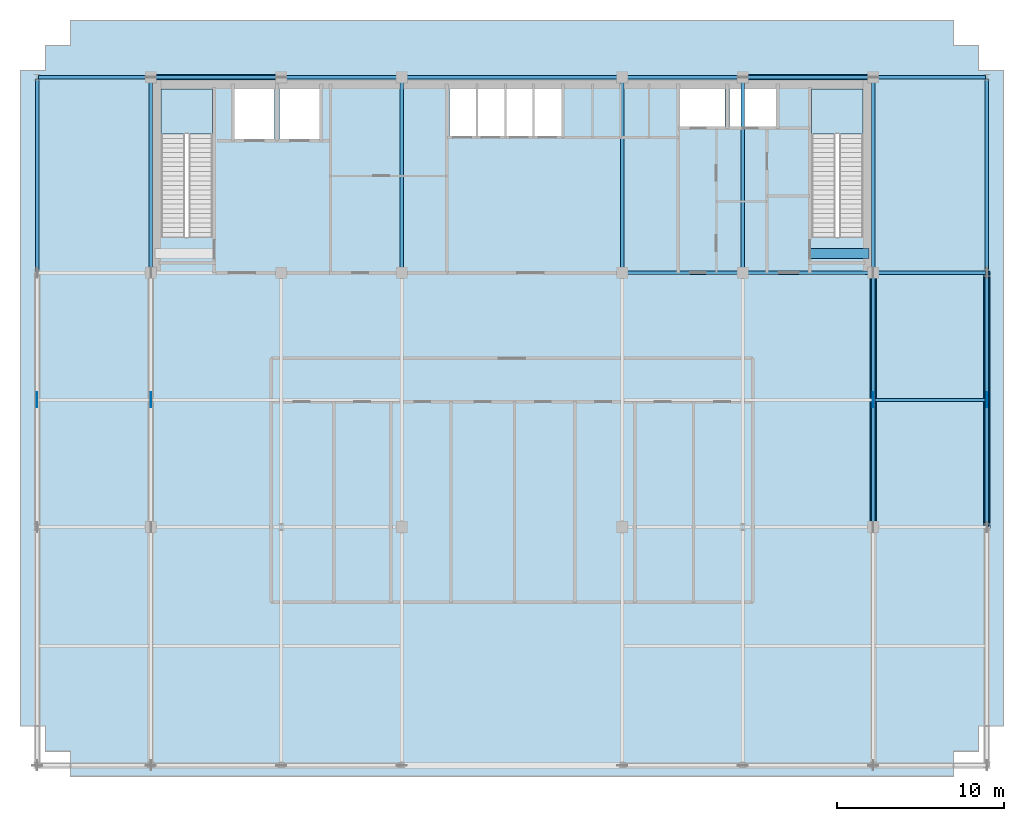
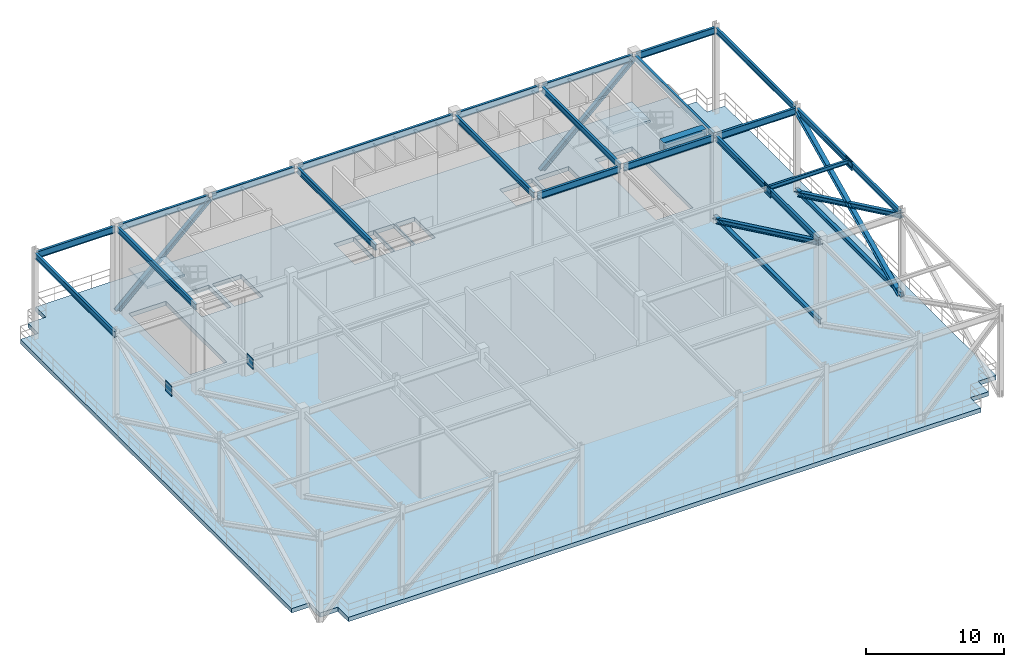
# One storey, part 5 of 14: 21 beams, 7 members, 4 plates, 3 slabs, 2 elements without a shape of their own.
"""IFC4 building model written with IfcOpenShell, lengths in metres."""

from ifc_helpers import new_model, si_unit, direction, frame, origin, origin_2d, place, context, subcontext, project, spatial, polyline, rectangle, i_section, outline, extrude, source, transform, mapped, material, layer, layer_set, material_profile, profile_set, type_object, element, aggregate, save


model = new_model("IFC4")

# Units and contexts
model_context = context("Model", 3, precision=1e-05, world=origin(), true_north=direction((0.0, 1.0)))
body_context = subcontext(model_context, "Body", "Model", "MODEL_VIEW")
ifc_project = project(units=[si_unit("LENGTHUNIT", "METRE"), si_unit("AREAUNIT", "SQUARE_METRE"), si_unit("VOLUMEUNIT", "CUBIC_METRE"), si_unit("PLANEANGLEUNIT", "RADIAN"), si_unit("MASSUNIT", "GRAM", prefix="KILO")], contexts=[model_context])

# Site, building, storey
site_placement = place(None, origin())
site = spatial("IfcSite", under=ifc_project, at=site_placement, CompositionType="ELEMENT")
building_placement = place(site_placement, origin())
building = spatial("IfcBuilding", under=site, at=building_placement, Name="Trelvane Seafront Commons", CompositionType="ELEMENT")
storey_placement = place(building_placement, frame((0.0, 0.0, 182.5)))
storey = spatial("IfcBuildingStorey", under=building, at=storey_placement, Name="L48", CompositionType="ELEMENT", Elevation=182.5)

# Beams
ifc_material_1 = material(Name="Concrete C60/75", Category="concrete")
ifc_material_profile_1 = material_profile(ifc_material_1, rectangle(XDim=0.60009765625, YDim=0.89990234375, at=origin_2d()), Name="RC-600x900")
ifc_profile_set_1 = profile_set([ifc_material_profile_1], Name="Concrete C60/75")
beam_type_1 = type_object("IfcBeamType", Name="STR-LNT-RC600x900", PredefinedType="LINTEL", material=ifc_profile_set_1)
shared_shape_1 = source(origin(), body_context, "Body", "SweptSolid", [
    extrude(rectangle(XDim=0.60009765625, YDim=0.89990234375, at=origin_2d()), origin(), (0.0, 0.0, 1.0), 3.550048828125),
])
beam_1_placement = place(storey_placement, frame((55.0, 34.550048828125, 7.169921875), z_axis=(1.0, 0.0, 0.0), x_axis=(0.0, 1.0, 0.0)))
element("IfcBeam", 1, at=beam_1_placement, inside=storey, type_object=beam_type_1, Name="L48 Core Coupling Lintel Beam CB-68", PredefinedType="LINTEL", context=body_context, shape_type="MappedRepresentation", body=[
    mapped(shared_shape_1, transform((0.0, 0.0, 0.0), x_axis=(1.0, 0.0, 0.0), y_axis=(0.0, 1.0, 0.0), z_axis=(0.0, 0.0, 1.0), scale=1.0)),
])
ifc_material_2 = material(Name="Steel SM355 (S355)", Category="steel")
ifc_material_profile_2 = material_profile(ifc_material_2, i_section(OverallWidth=0.199951171875, OverallDepth=0.5, WebThickness=0.010009765625, FlangeThickness=0.01611328125, at=origin_2d()), Name="H-500x200x10x16")
ifc_profile_set_2 = profile_set([ifc_material_profile_2], Name="Steel SM355 (S355)")
beam_type_2 = type_object("IfcBeamType", Name="STR-BM-H500", PredefinedType="BEAM", material=ifc_profile_set_2)
shared_shape_2 = source(origin(), body_context, "Body", "SweptSolid", [
    extrude(i_section(OverallWidth=0.199951171875, OverallDepth=0.5, WebThickness=0.010009765625, FlangeThickness=0.01611328125, at=origin_2d()), origin(), (0.0, 0.0, 1.0), 14.89990234375),
])
beam_2_placement = place(storey_placement, frame((58.800048828125, 18.35009765625, 7.3701171875), z_axis=(0.0, 1.0, 0.0), x_axis=(-1.0, 0.0, 0.0)))
element("IfcBeam", 2, at=beam_2_placement, inside=storey, type_object=beam_type_2, Name="L48 Primary Girder G-48", PredefinedType="BEAM", context=body_context, shape_type="MappedRepresentation", body=[
    mapped(shared_shape_2, transform((0.0, 0.0, 0.0), x_axis=(1.0, 0.0, 0.0), y_axis=(0.0, 1.0, 0.0), z_axis=(0.0, 0.0, 1.0), scale=1.0)),
])
shared_shape_3 = source(origin(), body_context, "Body", "SweptSolid", [
    extrude(i_section(OverallWidth=0.199951171875, OverallDepth=0.5, WebThickness=0.010009765625, FlangeThickness=0.01611328125, at=origin_2d()), origin(), (0.0, 0.0, 1.0), 11.39990234375),
])
for number, where, z_axis, x_axis, name in (
    (3, (15.60009765625, 33.550048828125, 7.3701171875), (0.0, 1.0, 0.0), (-1.0, 0.0, 0.0), "L48 Primary Girder G-34"),
    (4, (30.60009765625, 33.550048828125, 7.3701171875), (0.0, 1.0, 0.0), (-1.0, 0.0, 0.0), "L48 Primary Girder G-40"),
    (5, (43.800048828125, 33.550048828125, 7.3701171875), (0.0, 1.0, 0.0), (-1.0, 0.0, 0.0), "L48 Primary Girder G-43"),
    (6, (51.0, 33.550048828125, 7.3701171875), (0.0, 1.0, 0.0), (-1.0, 0.0, 0.0), "L48 Primary Girder G-46"),
    (7, (58.800048828125, 33.550048828125, 7.3701171875), (0.0, 1.0, 0.0), (-1.0, 0.0, 0.0), "L48 Primary Girder G-49"),
):
    element("IfcBeam", number, at=place(storey_placement, frame(where, z_axis=z_axis, x_axis=x_axis)), inside=storey, type_object=beam_type_2, Name=name, PredefinedType="BEAM", context=body_context, shape_type="MappedRepresentation", body=[
        mapped(shared_shape_3, transform((0.0, 0.0, 0.0), x_axis=(1.0, 0.0, 0.0), y_axis=(0.0, 1.0, 0.0), z_axis=(0.0, 0.0, 1.0), scale=1.0)),
    ])
ifc_material_profile_3 = material_profile(ifc_material_2, i_section(OverallWidth=0.175048828125, OverallDepth=0.35009765625, WebThickness=0.007080078125, FlangeThickness=0.010986328125, at=origin_2d()), Name="H-350x175x7x11")
ifc_profile_set_3 = profile_set([ifc_material_profile_3], Name="Steel SM355 (S355)")
beam_type_3 = type_object("IfcBeamType", Name="STR-JST-H350", PredefinedType="JOIST", material=ifc_profile_set_3)
shared_shape_4 = source(origin(), body_context, "Body", "SweptSolid", [
    extrude(i_section(OverallWidth=0.175048828125, OverallDepth=0.35009765625, WebThickness=0.007080078125, FlangeThickness=0.010986328125, at=origin_2d()), origin(), (0.0, 0.0, 1.0), 6.60009765625),
])
beam_3_placement = place(storey_placement, frame((58.89990234375, 25.800048828125, 7.445068359375), z_axis=(1.0, 0.0, 0.0), x_axis=(0.0, 1.0, 0.0)))
element("IfcBeam", 8, at=beam_3_placement, inside=storey, type_object=beam_type_3, Name="L48 Secondary Floor Joist B-66", PredefinedType="JOIST", context=body_context, shape_type="MappedRepresentation", body=[
    mapped(shared_shape_4, transform((0.0, 0.0, 0.0), x_axis=(1.0, 0.0, 0.0), y_axis=(0.0, 1.0, 0.0), z_axis=(0.0, 0.0, 1.0), scale=1.0)),
])
ifc_material_profile_4 = material_profile(ifc_material_2, i_section(OverallWidth=0.199951171875, OverallDepth=0.60009765625, WebThickness=0.010986328125, FlangeThickness=0.01708984375, at=origin_2d()), Name="H-600x200x11x17")
ifc_profile_set_4 = profile_set([ifc_material_profile_4], Name="Steel SM355 (S355)")
beam_type_4 = type_object("IfcBeamType", Name="STR-SPD-H600", PredefinedType="SPANDREL", material=ifc_profile_set_4)
shared_shape_5 = source(origin(), body_context, "Body", "SweptSolid", [
    extrude(i_section(OverallWidth=0.199951171875, OverallDepth=0.60009765625, WebThickness=0.010986328125, FlangeThickness=0.01708984375, at=origin_2d()), origin(), (0.0, 0.0, 1.0), 6.554931640625),
])
for number, where, z_axis, x_axis, name in (
    (9, (58.949951171875, 33.39990234375, 7.320068359375), (1.0, 0.0, 0.0), (0.0, 1.0, 0.0), "L48 Primary Girder G-21"),
    (10, (8.89501953125, 45.10009765625, 7.320068359375), (1.0, 0.0, 0.0), (0.0, 1.0, 0.0), "L48 Primary Girder G-22"),
    (11, (58.949951171875, 45.10009765625, 7.320068359375), (1.0, 0.0, 0.0), (0.0, 1.0, 0.0), "L48 Primary Girder G-28"),
):
    element("IfcBeam", number, at=place(storey_placement, frame(where, z_axis=z_axis, x_axis=x_axis)), inside=storey, type_object=beam_type_4, Name=name, PredefinedType="SPANDREL", context=body_context, shape_type="MappedRepresentation", body=[
        mapped(shared_shape_5, transform((0.0, 0.0, 0.0), x_axis=(1.0, 0.0, 0.0), y_axis=(0.0, 1.0, 0.0), z_axis=(0.0, 0.0, 1.0), scale=1.0)),
    ])
shared_shape_6 = source(origin(), body_context, "Body", "SweptSolid", [
    extrude(i_section(OverallWidth=0.199951171875, OverallDepth=0.60009765625, WebThickness=0.010986328125, FlangeThickness=0.01708984375, at=origin_2d()), origin(), (0.0, 0.0, 1.0), 12.89990234375),
])
beam_4_placement = place(storey_placement, frame((30.75, 45.10009765625, 7.320068359375), z_axis=(1.0, 0.0, 0.0), x_axis=(0.0, 1.0, 0.0)))
element("IfcBeam", 12, at=beam_4_placement, inside=storey, type_object=beam_type_4, Name="L48 Primary Girder G-25", PredefinedType="SPANDREL", context=body_context, shape_type="MappedRepresentation", body=[
    mapped(shared_shape_6, transform((0.0, 0.0, 0.0), x_axis=(1.0, 0.0, 0.0), y_axis=(0.0, 1.0, 0.0), z_axis=(0.0, 0.0, 1.0), scale=1.0)),
])
shared_shape_7 = source(origin(), body_context, "Body", "SweptSolid", [
    extrude(i_section(OverallWidth=0.199951171875, OverallDepth=0.60009765625, WebThickness=0.010986328125, FlangeThickness=0.01708984375, at=origin_2d()), origin(), (0.0, 0.0, 1.0), 7.5),
])
for number, where, z_axis, x_axis, name in (
    (13, (51.14990234375, 33.39990234375, 7.320068359375), (1.0, 0.0, 0.0), (0.0, 1.0, 0.0), "L48 Primary Girder G-20"),
    (14, (15.75, 45.10009765625, 7.320068359375), (1.0, 0.0, 0.0), (0.0, 1.0, 0.0), "L48 Primary Girder G-23"),
    (15, (51.14990234375, 45.10009765625, 7.320068359375), (1.0, 0.0, 0.0), (0.0, 1.0, 0.0), "L48 Primary Girder G-27"),
):
    element("IfcBeam", number, at=place(storey_placement, frame(where, z_axis=z_axis, x_axis=x_axis)), inside=storey, type_object=beam_type_4, Name=name, PredefinedType="SPANDREL", context=body_context, shape_type="MappedRepresentation", body=[
        mapped(shared_shape_7, transform((0.0, 0.0, 0.0), x_axis=(1.0, 0.0, 0.0), y_axis=(0.0, 1.0, 0.0), z_axis=(0.0, 0.0, 1.0), scale=1.0)),
    ])
shared_shape_8 = source(origin(), body_context, "Body", "SweptSolid", [
    extrude(i_section(OverallWidth=0.199951171875, OverallDepth=0.60009765625, WebThickness=0.010986328125, FlangeThickness=0.01708984375, at=origin_2d()), origin(), (0.0, 0.0, 1.0), 6.89990234375),
])
beam_5_placement = place(storey_placement, frame((23.550048828125, 45.10009765625, 7.320068359375), z_axis=(1.0, 0.0, 0.0), x_axis=(0.0, 1.0, 0.0)))
element("IfcBeam", 16, at=beam_5_placement, inside=storey, type_object=beam_type_4, Name="L48 Primary Girder G-24", PredefinedType="SPANDREL", context=body_context, shape_type="MappedRepresentation", body=[
    mapped(shared_shape_8, transform((0.0, 0.0, 0.0), x_axis=(1.0, 0.0, 0.0), y_axis=(0.0, 1.0, 0.0), z_axis=(0.0, 0.0, 1.0), scale=1.0)),
])
shared_shape_9 = source(origin(), body_context, "Body", "SweptSolid", [
    extrude(i_section(OverallWidth=0.199951171875, OverallDepth=0.60009765625, WebThickness=0.010986328125, FlangeThickness=0.01708984375, at=origin_2d()), origin(), (0.0, 0.0, 1.0), 6.900146484375),
])
for number, where, z_axis, x_axis, name in (
    (17, (43.949951171875, 33.39990234375, 7.320068359375), (1.0, 0.0, 0.0), (0.0, 1.0, 0.0), "L48 Primary Girder G-19"),
    (18, (43.949951171875, 45.10009765625, 7.320068359375), (1.0, 0.0, 0.0), (0.0, 1.0, 0.0), "L48 Primary Girder G-26"),
):
    element("IfcBeam", number, at=place(storey_placement, frame(where, z_axis=z_axis, x_axis=x_axis)), inside=storey, type_object=beam_type_4, Name=name, PredefinedType="SPANDREL", context=body_context, shape_type="MappedRepresentation", body=[
        mapped(shared_shape_9, transform((0.0, 0.0, 0.0), x_axis=(1.0, 0.0, 0.0), y_axis=(0.0, 1.0, 0.0), z_axis=(0.0, 0.0, 1.0), scale=1.0)),
    ])
shared_shape_10 = source(origin(), body_context, "Body", "SweptSolid", [
    extrude(i_section(OverallWidth=0.199951171875, OverallDepth=0.5, WebThickness=0.010009765625, FlangeThickness=0.01611328125, at=origin_2d()), origin(), (0.0, 0.0, 1.0), 15.010009765625),
])
beam_6_placement = place(storey_placement, frame((65.60009765625, 18.294921875, 7.3701171875), z_axis=(0.0, 1.0, 0.0), x_axis=(-1.0, 0.0, 0.0)))
element("IfcBeam", 19, at=beam_6_placement, inside=storey, type_object=beam_type_2, Name="L48 Primary Girder G-51", PredefinedType="BEAM", context=body_context, shape_type="MappedRepresentation", body=[
    mapped(shared_shape_10, transform((0.0, 0.0, 0.0), x_axis=(1.0, 0.0, 0.0), y_axis=(0.0, 1.0, 0.0), z_axis=(0.0, 0.0, 1.0), scale=1.0)),
])
shared_shape_11 = source(origin(), body_context, "Body", "SweptSolid", [
    extrude(i_section(OverallWidth=0.199951171875, OverallDepth=0.5, WebThickness=0.010009765625, FlangeThickness=0.01611328125, at=origin_2d()), origin(), (0.0, 0.0, 1.0), 11.509765625),
])
for number, where, z_axis, x_axis, name in (
    (20, (8.800048828125, 33.4951171875, 7.3701171875), (0.0, 1.0, 0.0), (-1.0, 0.0, 0.0), "L48 Primary Girder G-31"),
    (21, (65.60009765625, 33.4951171875, 7.3701171875), (0.0, 1.0, 0.0), (-1.0, 0.0, 0.0), "L48 Primary Girder G-52"),
):
    element("IfcBeam", number, at=place(storey_placement, frame(where, z_axis=z_axis, x_axis=x_axis)), inside=storey, type_object=beam_type_2, Name=name, PredefinedType="BEAM", context=body_context, shape_type="MappedRepresentation", body=[
        mapped(shared_shape_11, transform((0.0, 0.0, 0.0), x_axis=(1.0, 0.0, 0.0), y_axis=(0.0, 1.0, 0.0), z_axis=(0.0, 0.0, 1.0), scale=1.0)),
    ])

# Members
ifc_material_profile_5 = material_profile(ifc_material_2, i_section(OverallWidth=0.280029296875, OverallDepth=0.64990234375, WebThickness=0.012939453125, FlangeThickness=0.02197265625, at=origin_2d()), Name="H-650x280x13x22")
ifc_profile_set_5 = profile_set([ifc_material_profile_5], Name="Steel SM355 (S355)")
member_type_1 = type_object("IfcMemberType", Name="STR-CHD-H650", PredefinedType="CHORD", material=ifc_profile_set_5)
shared_shape_12 = source(origin(), body_context, "Body", "SweptSolid", [
    extrude(i_section(OverallWidth=0.280029296875, OverallDepth=0.64990234375, WebThickness=0.012939453125, FlangeThickness=0.02197265625, at=origin_2d()), origin(), (0.0, 0.0, 1.0), 15.199951171875),
])
for number, where, z_axis, x_axis, name in (
    (22, (58.800048828125, 18.199951171875, 0.159912109375), (0.0, 1.0, 0.0), (-1.0, 0.0, 0.0), "L48 Outrigger Bottom Chord CH-3"),
    (23, (65.60009765625, 18.199951171875, 0.159912109375), (0.0, 1.0, 0.0), (-1.0, 0.0, 0.0), "L48 Outrigger Bottom Chord CH-4"),
):
    element("IfcMember", number, at=place(storey_placement, frame(where, z_axis=z_axis, x_axis=x_axis)), inside=storey, type_object=member_type_1, Name=name, PredefinedType="CHORD", context=body_context, shape_type="MappedRepresentation", body=[
        mapped(shared_shape_12, transform((0.0, 0.0, 0.0), x_axis=(1.0, 0.0, 0.0), y_axis=(0.0, 1.0, 0.0), z_axis=(0.0, 0.0, 1.0), scale=1.0)),
    ])
ifc_material_profile_6 = material_profile(ifc_material_2, i_section(OverallWidth=0.3798828125, OverallDepth=0.3798828125, WebThickness=0.02001953125, FlangeThickness=0.030029296875, at=origin_2d()), Name="HD-380x380x20x30")
ifc_profile_set_6 = profile_set([ifc_material_profile_6], Name="Steel SM355 (S355)")
member_type_2 = type_object("IfcMemberType", Name="STR-BRC-HD380", PredefinedType="BRACE", material=ifc_profile_set_6)
shared_shape_13 = source(origin(), body_context, "Body", "SweptSolid", [
    extrude(i_section(OverallWidth=0.3798828125, OverallDepth=0.3798828125, WebThickness=0.02001953125, FlangeThickness=0.030029296875, at=origin_2d()), origin(), (0.0, 0.0, 1.0), 16.84912109375),
])
for number, where, z_axis, x_axis, name in (
    (24, (58.800048828125, 33.39990234375, 0.0), (0.0, -0.902123186767, 0.431478569453), (1.0, 0.0, 0.0), "L48 Outrigger Truss Diagonal OB-3A"),
    (25, (65.60009765625, 33.39990234375, 0.0), (0.0, -0.902123186767, 0.431478569453), (1.0, 0.0, 0.0), "L48 Outrigger Truss Diagonal OB-4A"),
):
    element("IfcMember", number, at=place(storey_placement, frame(where, z_axis=z_axis, x_axis=x_axis)), inside=storey, type_object=member_type_2, Name=name, PredefinedType="BRACE", context=body_context, shape_type="MappedRepresentation", body=[
        mapped(shared_shape_13, transform((0.0, 0.0, 0.0), x_axis=(1.0, 0.0, 0.0), y_axis=(0.0, 1.0, 0.0), z_axis=(0.0, 0.0, 1.0), scale=1.0)),
    ])
ifc_material_profile_7 = material_profile(ifc_material_2, i_section(OverallWidth=0.35009765625, OverallDepth=0.35009765625, WebThickness=0.01806640625, FlangeThickness=0.028076171875, at=origin_2d()), Name="HD-350x350x18x28")
ifc_profile_set_7 = profile_set([ifc_material_profile_7], Name="Steel SM355 (S355)")
member_type_3 = type_object("IfcMemberType", Name="STR-BRC-HD350", PredefinedType="BRACE", material=ifc_profile_set_7)
shared_shape_14 = source(origin(), body_context, "Body", "SweptSolid", [
    extrude(i_section(OverallWidth=0.35009765625, OverallDepth=0.35009765625, WebThickness=0.01806640625, FlangeThickness=0.028076171875, at=origin_2d()), origin(), (0.0, 0.0, 1.0), 10.66259765625),
])
member_1_placement = place(storey_placement, frame((15.60009765625, 45.10009765625, 0.0), z_axis=(0.731513478453, 0.0, 0.681826980136), x_axis=(0.0, 1.0, 0.0)))
element("IfcMember", 26, at=member_1_placement, inside=storey, type_object=member_type_3, Name="L48 North Belt Truss Brace BTN-1", PredefinedType="BRACE", context=body_context, shape_type="MappedRepresentation", body=[
    mapped(shared_shape_14, transform((0.0, 0.0, 0.0), x_axis=(1.0, 0.0, 0.0), y_axis=(0.0, 1.0, 0.0), z_axis=(0.0, 0.0, 1.0), scale=1.0)),
])
shared_shape_15 = source(origin(), body_context, "Body", "SweptSolid", [
    extrude(i_section(OverallWidth=0.35009765625, OverallDepth=0.35009765625, WebThickness=0.01806640625, FlangeThickness=0.028076171875, at=origin_2d()), origin(), (0.0, 0.0, 1.0), 10.662841796875),
])
member_2_placement = place(storey_placement, frame((51.0, 45.10009765625, 0.0), z_axis=(0.731524122729, 0.0, 0.681815560006), x_axis=(0.0, 1.0, 0.0)))
element("IfcMember", 27, at=member_2_placement, inside=storey, type_object=member_type_3, Name="L48 North Belt Truss Brace BTN-2", PredefinedType="BRACE", context=body_context, shape_type="MappedRepresentation", body=[
    mapped(shared_shape_15, transform((0.0, 0.0, 0.0), x_axis=(1.0, 0.0, 0.0), y_axis=(0.0, 1.0, 0.0), z_axis=(0.0, 0.0, 1.0), scale=1.0)),
])
shared_shape_16 = source(origin(), body_context, "Body", "SweptSolid", [
    extrude(i_section(OverallWidth=0.35009765625, OverallDepth=0.35009765625, WebThickness=0.01806640625, FlangeThickness=0.028076171875, at=origin_2d()), origin(), (0.0, 0.0, 1.0), 16.84912109375),
])
member_3_placement = place(storey_placement, frame((65.60009765625, 18.199951171875, 0.0), z_axis=(0.0, 0.902123186767, 0.431478569453), x_axis=(-1.0, 0.0, 0.0)))
element("IfcMember", 28, at=member_3_placement, inside=storey, type_object=member_type_3, Name="L48 Flank Belt Truss Brace BTE-4", PredefinedType="BRACE", context=body_context, shape_type="MappedRepresentation", body=[
    mapped(shared_shape_16, transform((0.0, 0.0, 0.0), x_axis=(1.0, 0.0, 0.0), y_axis=(0.0, 1.0, 0.0), z_axis=(0.0, 0.0, 1.0), scale=1.0)),
])

# Stair, slab
ifc_material_3 = material(Name="Concrete C40/50", Category="concrete")
stair_type_1 = type_object("IfcStairType", Name="ARCH-STR-ST-1-R46-174", PredefinedType="HALF_TURN_STAIR", material=ifc_material_3)
stair_1_placement = place(storey_placement, origin())
stair_1 = element("IfcStair", 29, at=stair_1_placement, inside=storey, type_object=stair_type_1, Name="L48 West Protected Firefighting Exit Stair ST-1", PredefinedType="HALF_TURN_STAIR")
ifc_layer_1 = layer(ifc_material_3, 0.199951171875, Name="ARCH-LND-200")
ifc_layer_set_1 = layer_set([ifc_layer_1], Name="Concrete C40/50")
slab_type_1 = type_object("IfcSlabType", Name="ARCH-LND-200", PredefinedType="LANDING", material=ifc_layer_set_1)
slab_1_placement = place(storey_placement, frame((0.0, 0.0, 3.800048828125)))
slab_1 = element("IfcSlab", 30, at=slab_1_placement, type_object=slab_type_1, Name="ST-1 landing 1", PredefinedType="LANDING", context=body_context, shape_type="SweptSolid", body=[
    extrude(outline(polyline([(19.300048828125, 41.7099609375), (19.300048828125, 44.39990234375), (16.199951171875, 44.39990234375), (16.199951171875, 41.7099609375), (19.300048828125, 41.7099609375)])), origin(), (0.0, 0.0, 1.0), 0.199951171875),
])
aggregate(stair_1, [slab_1])

stair_type_2 = type_object("IfcStairType", Name="ARCH-STR-ST-2-R46-174", PredefinedType="HALF_TURN_STAIR", material=ifc_material_3)
stair_2_placement = place(storey_placement, origin())
stair_2 = element("IfcStair", 31, at=stair_2_placement, inside=storey, type_object=stair_type_2, Name="L48 East Protected Firefighting Exit Stair ST-2", PredefinedType="HALF_TURN_STAIR")
slab_2_placement = place(storey_placement, frame((0.0, 0.0, 3.800048828125)))
slab_2 = element("IfcSlab", 32, at=slab_2_placement, type_object=slab_type_1, Name="ST-2 landing 1", PredefinedType="LANDING", context=body_context, shape_type="SweptSolid", body=[
    extrude(outline(polyline([(58.199951171875, 41.7099609375), (58.199951171875, 44.39990234375), (55.10009765625, 44.39990234375), (55.10009765625, 41.7099609375), (58.199951171875, 41.7099609375)])), origin(), (0.0, 0.0, 1.0), 0.199951171875),
])
aggregate(stair_2, [slab_2])

# Slab
ifc_layer_2 = layer(ifc_material_1, 0.3798828125, Name="STR-SLB-T380")
ifc_layer_set_2 = layer_set([ifc_layer_2], Name="Concrete C60/75")
slab_type_2 = type_object("IfcSlabType", Name="STR-SLB-T380", PredefinedType="FLOOR", material=ifc_layer_set_2)
slab_3_placement = place(storey_placement, frame((0.0, 0.0, -0.3798828125)))
element("IfcSlab", 33, at=slab_3_placement, inside=storey, type_object=slab_type_2, Name="L48 Structural Floor Slab", PredefinedType="FLOOR", context=body_context, shape_type="SweptSolid", body=[
    extrude(outline(polyline([(10.800048828125, 3.300048828125), (63.60009765625, 3.300048828125), (63.60009765625, 4.800048828125), (65.10009765625, 4.800048828125), (65.10009765625, 6.300048828125), (66.60009765625, 6.300048828125), (66.60009765625, 45.5), (65.10009765625, 45.5), (65.10009765625, 47.0), (63.60009765625, 47.0), (63.60009765625, 48.5), (10.800048828125, 48.5), (10.800048828125, 47.0), (9.300048828125, 47.0), (9.300048828125, 45.5), (7.800048828125, 45.5), (7.800048828125, 6.300048828125), (9.300048828125, 6.300048828125), (9.300048828125, 4.800048828125), (10.800048828125, 4.800048828125), (10.800048828125, 3.300048828125)]), holes=[polyline([(19.300048828125, 35.550048828125), (16.199951171875, 35.550048828125), (16.199951171875, 44.39990234375), (19.300048828125, 44.39990234375), (19.300048828125, 35.550048828125)]), polyline([(58.199951171875, 35.550048828125), (55.10009765625, 35.550048828125), (55.10009765625, 44.39990234375), (58.199951171875, 44.39990234375), (58.199951171875, 35.550048828125)]), polyline([(23.0, 41.39990234375), (20.60009765625, 41.39990234375), (20.60009765625, 44.60009765625), (23.0, 44.60009765625), (23.0, 41.39990234375)]), polyline([(23.300048828125, 41.39990234375), (23.300048828125, 44.60009765625), (25.699951171875, 44.60009765625), (25.699951171875, 41.39990234375), (23.300048828125, 41.39990234375)]), polyline([(33.449951171875, 41.60009765625), (33.449951171875, 44.60009765625), (35.070068359375, 44.60009765625), (35.070068359375, 41.60009765625), (33.449951171875, 41.60009765625)]), polyline([(36.77001953125, 41.60009765625), (35.14990234375, 41.60009765625), (35.14990234375, 44.60009765625), (36.77001953125, 44.60009765625), (36.77001953125, 41.60009765625)]), polyline([(38.469970703125, 41.60009765625), (36.85009765625, 41.60009765625), (36.85009765625, 44.60009765625), (38.469970703125, 44.60009765625), (38.469970703125, 41.60009765625)]), polyline([(40.169921875, 41.60009765625), (38.550048828125, 41.60009765625), (38.550048828125, 44.60009765625), (40.169921875, 44.60009765625), (40.169921875, 41.60009765625)]), polyline([(47.25, 42.14990234375), (47.25, 44.550048828125), (49.949951171875, 44.550048828125), (49.949951171875, 42.14990234375), (47.25, 42.14990234375)]), polyline([(50.199951171875, 42.14990234375), (50.199951171875, 44.550048828125), (53.0, 44.550048828125), (53.0, 42.14990234375), (50.199951171875, 42.14990234375)])]), origin(), (0.0, 0.0, 1.0), 0.3798828125),
])

# Plates
ifc_layer_3 = layer(ifc_material_2, 0.035888671875, Name="STR-PLT-GUS1")
ifc_layer_set_3 = layer_set([ifc_layer_3], Name="Steel SM355 (S355)")
plate_type = type_object("IfcPlateType", Name="STR-PLT-GUS1", PredefinedType="SHEET", material=ifc_layer_set_3)
shared_shape_17 = source(origin(), body_context, "Body", "SweptSolid", [
    extrude(rectangle(XDim=0.035888671875, YDim=0.89990234375, at=origin_2d()), origin(), (0.0, 0.0, 1.0), 0.89990234375),
])
for number, where, z_axis, x_axis, name in (
    (34, (8.800048828125, 25.800048828125, 6.820068359375), (0.0, 0.0, 1.0), (1.0, 0.0, 0.0), "L48 Outrigger Gusset Plate ON1-1"),
    (35, (15.60009765625, 25.800048828125, 6.820068359375), (0.0, 0.0, 1.0), (1.0, 0.0, 0.0), "L48 Outrigger Gusset Plate ON1-2"),
    (36, (58.800048828125, 25.800048828125, 6.820068359375), (0.0, 0.0, 1.0), (1.0, 0.0, 0.0), "L48 Outrigger Gusset Plate ON1-3"),
    (37, (65.60009765625, 25.800048828125, 6.820068359375), (0.0, 0.0, 1.0), (1.0, 0.0, 0.0), "L48 Outrigger Gusset Plate ON1-4"),
):
    element("IfcPlate", number, at=place(storey_placement, frame(where, z_axis=z_axis, x_axis=x_axis)), inside=storey, type_object=plate_type, Name=name, PredefinedType="SHEET", context=body_context, shape_type="MappedRepresentation", body=[
        mapped(shared_shape_17, transform((0.0, 0.0, 0.0), x_axis=(1.0, 0.0, 0.0), y_axis=(0.0, 1.0, 0.0), z_axis=(0.0, 0.0, 1.0), scale=1.0)),
    ])

save(model, "model.ifc")
